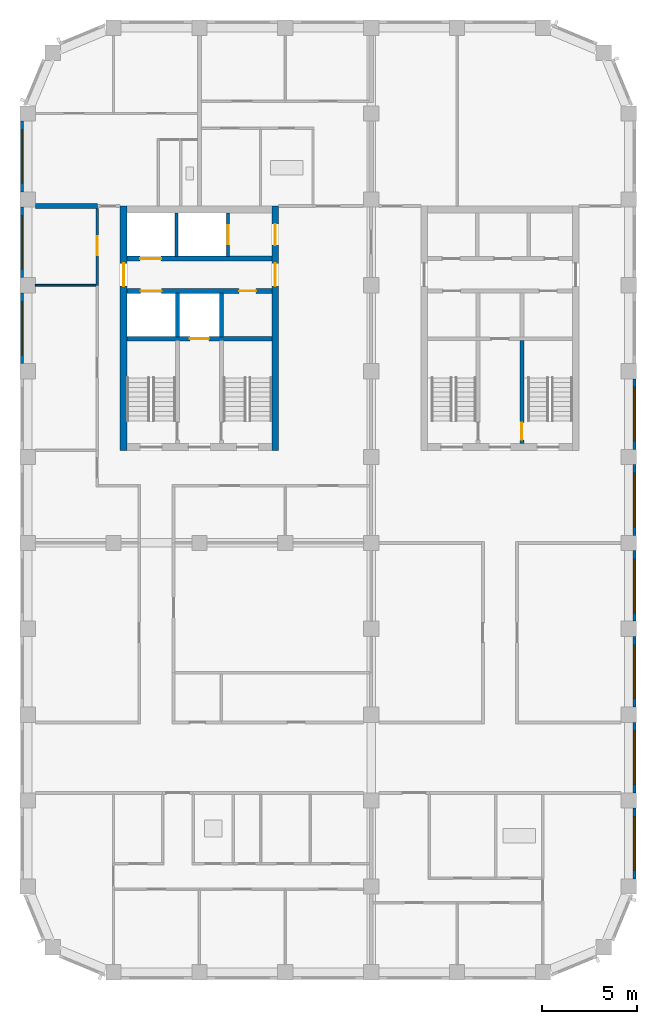
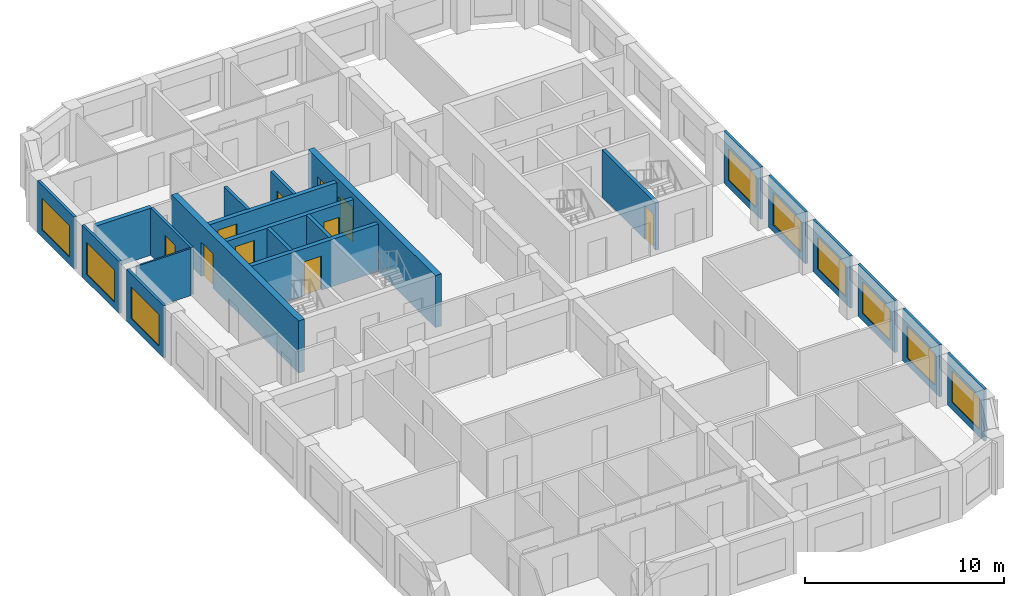
# One storey, part 5 of 10: 22 walls, 10 doors, 9 windows, 19 openings.
"""IFC4 building model written with IfcOpenShell, lengths in metres."""

from ifc_helpers import new_model, si_unit, direction, frame, frame_2d, origin, place, context, subcontext, project, spatial, rectangle, extrude, material, layer, layer_set, type_object, element, fill, save


model = new_model("IFC4")

# Units and contexts
model_context = context("Model", 3, precision=1e-05, world=origin(), true_north=direction((0.0, 1.0)))
body_context = subcontext(model_context, "Body", "Model", "MODEL_VIEW")
ifc_project = project(units=[si_unit("LENGTHUNIT", "METRE"), si_unit("AREAUNIT", "SQUARE_METRE"), si_unit("VOLUMEUNIT", "CUBIC_METRE"), si_unit("PLANEANGLEUNIT", "RADIAN"), si_unit("MASSUNIT", "GRAM", prefix="KILO")], contexts=[model_context])

# Site, building, storey
site_placement = place(None, origin())
site = spatial("IfcSite", under=ifc_project, at=site_placement, CompositionType="ELEMENT")
building_placement = place(site_placement, origin())
building = spatial("IfcBuilding", under=site, at=building_placement, Name="Girih Gate Residences", CompositionType="ELEMENT")
storey_placement = place(building_placement, frame((0.0, 0.0, 195.5)))
storey = spatial("IfcBuildingStorey", under=building, at=storey_placement, Name="L54", CompositionType="ELEMENT", Elevation=195.5)

# Wall
ifc_material_1 = material(Name="Gypsum board on steel studs", Category="steel")
ifc_layer_1 = layer(ifc_material_1, 0.25)
ifc_layer_set_1 = layer_set([ifc_layer_1], Name="Acoustic separating wall 250 mm")
wall_type_1 = type_object("IfcWallType", Name="Acoustic separating wall 250 mm", PredefinedType="PARTITIONING", material=ifc_layer_set_1)
wall_1_placement = place(storey_placement, frame((0.39990234375, 40.14990234375, 0.0), z_axis=(0.0, 0.0, 1.0), x_axis=(1.0, 0.0, 0.0)))
element("IfcWall", 1, at=wall_1_placement, inside=storey, type_object=wall_type_1, Name="L54 partition", PredefinedType="PARTITIONING", context=body_context, shape_type="SweptSolid", body=[
    extrude(rectangle(XDim=3.25, YDim=0.25, at=frame_2d((1.625, 0.0))), origin(), (0.0, 0.0, 1.0), 2.89990234375),
])

# Wall, opening, door
ifc_layer_2 = layer(ifc_material_1, 0.14990234375)
ifc_layer_set_2 = layer_set([ifc_layer_2], Name="Compartment wall 150 mm")
wall_type_2 = type_object("IfcWallType", Name="Compartment wall 150 mm", PredefinedType="PARTITIONING", material=ifc_layer_set_2)
wall_2_placement = place(storey_placement, frame((3.64990234375, 36.0, 0.0), z_axis=(0.0, 0.0, 1.0), x_axis=(0.0, 1.0, 0.0)))
wall_2 = element("IfcWall", 2, at=wall_2_placement, inside=storey, type_object=wall_type_2, Name="L54 partition", PredefinedType="PARTITIONING", context=body_context, shape_type="SweptSolid", body=[
    extrude(rectangle(XDim=4.02490234375, YDim=0.14990234375, at=frame_2d((2.012451171875, 0.0))), origin(), (0.0, 0.0, 1.0), 2.89990234375),
])
opening_1_placement = place(wall_2_placement, frame((1.574951171875, 0.0, 0.0)))
opening_1 = element("IfcOpeningElement", 3, at=opening_1_placement, cuts=wall_2, Name="Opening A54-039", PredefinedType="OPENING", context=body_context, shape_type="SweptSolid", body=[
    extrude(rectangle(XDim=1.0, YDim=2.10009765625, at=frame_2d((0.5, 1.050048828125))), frame((0.0, 0.0849609375, 0.0), z_axis=(0.0, -1.0, 0.0), x_axis=(1.0, 0.0, 0.0)), (0.0, 0.0, 1.0), 0.169921875),
])
ifc_material_2 = material(Name="Timber, fire-rated core", Category="wood")
door_type_1 = type_object("IfcDoorType", Name="Amenity room door 1000x2100 FD30S", OperationType="NOTDEFINED", PredefinedType="DOOR", material=ifc_material_2)
door_1_placement = place(opening_1_placement, origin())
door_1 = element("IfcDoor", 4, at=door_1_placement, inside=storey, type_object=door_type_1, Name="Door A54-039", OperationType="SINGLE_SWING_RIGHT", OverallHeight=2.10009765625, OverallWidth=1.0, PredefinedType="DOOR", context=body_context, shape_type="SweptSolid", body=[
    extrude(rectangle(XDim=1.0, YDim=2.10009765625, at=frame_2d((0.5, 1.050048828125))), frame((0.0, 0.02490234375, 0.0), z_axis=(0.0, -1.0, 0.0), x_axis=(1.0, 0.0, 0.0)), (0.0, 0.0, 1.0), 0.050048828125),
])
fill(opening_1, door_1)

ifc_material_3 = material(Name="Concrete C60/75", Category="concrete")
ifc_layer_3 = layer(ifc_material_3, 0.35009765625)
ifc_layer_set_3 = layer_set([ifc_layer_3], Name="Core wall RC 350 Concrete C60/75")
wall_type_3 = type_object("IfcWallType", Name="Core wall RC 350 Concrete C60/75", PredefinedType="SOLIDWALL", material=ifc_layer_set_3)
wall_3_placement = place(storey_placement, frame((5.02490234375, 27.35009765625, 0.0), z_axis=(0.0, 0.0, 1.0), x_axis=(0.0, 1.0, 0.0)))
wall_3 = element("IfcWall", 5, at=wall_3_placement, inside=storey, type_object=wall_type_3, Name="Core wall W-W L54", PredefinedType="SOLIDWALL", context=body_context, shape_type="SweptSolid", body=[
    extrude(rectangle(XDim=12.7998046875, YDim=0.35009765625, at=frame_2d((6.39990234375, 0.0))), origin(), (0.0, 0.0, 1.0), 3.199951171875),
])
opening_2_placement = place(wall_3_placement, frame((8.60009765625, 0.0, 0.0)))
opening_2 = element("IfcOpeningElement", 6, at=opening_2_placement, cuts=wall_3, Name="Opening D-L54-W-012", PredefinedType="OPENING", context=body_context, shape_type="SweptSolid", body=[
    extrude(rectangle(XDim=1.199951171875, YDim=2.10009765625, at=frame_2d((0.60009765625, 1.050048828125))), frame((0.0, 0.18505859375, 0.0), z_axis=(0.0, -1.0, 0.0), x_axis=(1.0, 0.0, 0.0)), (0.0, 0.0, 1.0), 0.3701171875),
])
ifc_material_4 = material(Name="Painted steel, fire-resisting", Category="steel")
door_type_2 = type_object("IfcDoorType", Name="Fire door 1200x2100", OperationType="SINGLE_SWING_LEFT", PredefinedType="DOOR", material=ifc_material_4)
door_2_placement = place(opening_2_placement, origin())
door_2 = element("IfcDoor", 7, at=door_2_placement, inside=storey, type_object=door_type_2, Name="L54 W core door ll-w", OperationType="SINGLE_SWING_LEFT", OverallHeight=2.10009765625, OverallWidth=1.199951171875, PredefinedType="DOOR", context=body_context, shape_type="SweptSolid", body=[
    extrude(rectangle(XDim=1.199951171875, YDim=2.10009765625, at=frame_2d((0.60009765625, 1.050048828125))), frame((0.0, 0.02490234375, 0.0), z_axis=(0.0, -1.0, 0.0), x_axis=(1.0, 0.0, 0.0)), (0.0, 0.0, 1.0), 0.050048828125),
])
fill(opening_2, door_2)

# Wall, openings, doors
wall_4_placement = place(storey_placement, frame((12.97509765625, 27.35009765625, 0.0), z_axis=(0.0, 0.0, 1.0), x_axis=(0.0, 1.0, 0.0)))
wall_4 = element("IfcWall", 8, at=wall_4_placement, inside=storey, type_object=wall_type_3, Name="Core wall W-E L54", PredefinedType="SOLIDWALL", context=body_context, shape_type="SweptSolid", body=[
    extrude(rectangle(XDim=12.7998046875, YDim=0.35009765625, at=frame_2d((6.39990234375, 0.0))), origin(), (0.0, 0.0, 1.0), 3.199951171875),
])
opening_3_placement = place(wall_4_placement, frame((10.75, 0.0, 0.0)))
opening_3 = element("IfcOpeningElement", 9, at=opening_3_placement, cuts=wall_4, Name="Opening D-L54-W-011", PredefinedType="OPENING", context=body_context, shape_type="SweptSolid", body=[
    extrude(rectangle(XDim=1.10009765625, YDim=2.10009765625, at=frame_2d((0.550048828125, 1.050048828125))), frame((0.0, 0.18505859375, 0.0), z_axis=(0.0, -1.0, 0.0), x_axis=(1.0, 0.0, 0.0)), (0.0, 0.0, 1.0), 0.3701171875),
])
opening_4_placement = place(wall_4_placement, frame((8.60009765625, 0.0, 0.0)))
opening_4 = element("IfcOpeningElement", 10, at=opening_4_placement, cuts=wall_4, Name="Opening D-L54-W-013", PredefinedType="OPENING", context=body_context, shape_type="SweptSolid", body=[
    extrude(rectangle(XDim=1.199951171875, YDim=2.10009765625, at=frame_2d((0.60009765625, 1.050048828125))), frame((0.0, 0.18505859375, 0.0), z_axis=(0.0, -1.0, 0.0), x_axis=(1.0, 0.0, 0.0)), (0.0, 0.0, 1.0), 0.3701171875),
])
door_type_3 = type_object("IfcDoorType", Name="Fire door 1100x2100", OperationType="SINGLE_SWING_LEFT", PredefinedType="DOOR", material=ifc_material_4)
door_3_placement = place(opening_3_placement, origin())
door_3 = element("IfcDoor", 11, at=door_3_placement, inside=storey, type_object=door_type_3, Name="L54 W core door ffl2-e", OperationType="SINGLE_SWING_LEFT", OverallHeight=2.10009765625, OverallWidth=1.10009765625, PredefinedType="DOOR", context=body_context, shape_type="SweptSolid", body=[
    extrude(rectangle(XDim=1.10009765625, YDim=2.10009765625, at=frame_2d((0.550048828125, 1.050048828125))), frame((0.0, 0.02490234375, 0.0), z_axis=(0.0, -1.0, 0.0), x_axis=(1.0, 0.0, 0.0)), (0.0, 0.0, 1.0), 0.050048828125),
])
fill(opening_3, door_3)
door_4_placement = place(opening_4_placement, origin())
door_4 = element("IfcDoor", 12, at=door_4_placement, inside=storey, type_object=door_type_2, Name="L54 W core door ll-e", OperationType="SINGLE_SWING_LEFT", OverallHeight=2.10009765625, OverallWidth=1.199951171875, PredefinedType="DOOR", context=body_context, shape_type="SweptSolid", body=[
    extrude(rectangle(XDim=1.199951171875, YDim=2.10009765625, at=frame_2d((0.60009765625, 1.050048828125))), frame((0.0, 0.02490234375, 0.0), z_axis=(0.0, -1.0, 0.0), x_axis=(1.0, 0.0, 0.0)), (0.0, 0.0, 1.0), 0.050048828125),
])
fill(opening_4, door_4)

# Wall, opening, door
ifc_material_5 = material(Name="Concrete C40/50", Category="concrete")
ifc_layer_4 = layer(ifc_material_5, 0.25)
ifc_layer_set_4 = layer_set([ifc_layer_4], Name="Lift shaft wall 250")
wall_type_4 = type_object("IfcWallType", Name="Lift shaft wall 250", PredefinedType="SOLIDWALL", material=ifc_layer_set_4)
wall_5_placement = place(storey_placement, frame((5.199951171875, 33.199951171875, 0.0), z_axis=(0.0, 0.0, 1.0), x_axis=(1.0, 0.0, 0.0)))
wall_5 = element("IfcWall", 13, at=wall_5_placement, inside=storey, type_object=wall_type_4, Name="L54 W core wall H1", PredefinedType="SOLIDWALL", context=body_context, shape_type="SweptSolid", body=[
    extrude(rectangle(XDim=7.60009765625, YDim=0.25, at=frame_2d((3.800048828125, 0.0))), origin(), (0.0, 0.0, 1.0), 2.89990234375),
])
opening_5_placement = place(wall_5_placement, frame((3.300048828125, 0.0, 0.0)))
opening_5 = element("IfcOpeningElement", 14, at=opening_5_placement, cuts=wall_5, Name="Opening D-L54-W-006", PredefinedType="OPENING", context=body_context, shape_type="SweptSolid", body=[
    extrude(rectangle(XDim=1.0, YDim=2.10009765625, at=frame_2d((0.5, 1.050048828125))), frame((0.0, 0.135009765625, 0.0), z_axis=(0.0, -1.0, 0.0), x_axis=(1.0, 0.0, 0.0)), (0.0, 0.0, 1.0), 0.27001953125),
])
ifc_material_6 = material(Name="Stainless steel, fire-resisting", Category="steel")
door_type_4 = type_object("IfcDoorType", Name="Firefighting lift landing door 1000x2100", OperationType="SLIDING_TO_LEFT", PredefinedType="DOOR", material=ifc_material_6)
door_5_placement = place(opening_5_placement, origin())
door_5 = element("IfcDoor", 15, at=door_5_placement, inside=storey, type_object=door_type_4, Name="L54 lift FF-W landing door", OperationType="SLIDING_TO_LEFT", OverallHeight=2.10009765625, OverallWidth=1.0, PredefinedType="DOOR", context=body_context, shape_type="SweptSolid", body=[
    extrude(rectangle(XDim=1.0, YDim=2.10009765625, at=frame_2d((0.5, 1.050048828125))), frame((0.0, 0.02490234375, 0.0), z_axis=(0.0, -1.0, 0.0), x_axis=(1.0, 0.0, 0.0)), (0.0, 0.0, 1.0), 0.050048828125),
])
fill(opening_5, door_5)

# Wall, openings, doors
wall_6_placement = place(storey_placement, frame((5.199951171875, 35.699951171875, 0.0), z_axis=(0.0, 0.0, 1.0), x_axis=(1.0, 0.0, 0.0)))
wall_6 = element("IfcWall", 16, at=wall_6_placement, inside=storey, type_object=wall_type_4, Name="L54 W core wall H2", PredefinedType="SOLIDWALL", context=body_context, shape_type="SweptSolid", body=[
    extrude(rectangle(XDim=7.60009765625, YDim=0.25, at=frame_2d((3.800048828125, 0.0))), origin(), (0.0, 0.0, 1.0), 2.89990234375),
])
opening_6_placement = place(wall_6_placement, frame((0.72509765625, 0.0, 0.0)))
opening_6 = element("IfcOpeningElement", 17, at=opening_6_placement, cuts=wall_6, Name="Opening D-L54-W-005", PredefinedType="OPENING", context=body_context, shape_type="SweptSolid", body=[
    extrude(rectangle(XDim=1.10009765625, YDim=2.39990234375, at=frame_2d((0.550048828125, 1.199951171875))), frame((0.0, 0.135009765625, 0.0), z_axis=(0.0, -1.0, 0.0), x_axis=(1.0, 0.0, 0.0)), (0.0, 0.0, 1.0), 0.27001953125),
])
opening_7_placement = place(wall_6_placement, frame((5.875, 0.0, 0.0)))
opening_7 = element("IfcOpeningElement", 18, at=opening_7_placement, cuts=wall_6, Name="Opening D-L54-W-007", PredefinedType="OPENING", context=body_context, shape_type="SweptSolid", body=[
    extrude(rectangle(XDim=0.89990234375, YDim=2.10009765625, at=frame_2d((0.449951171875, 1.050048828125))), frame((0.0, 0.135009765625, 0.0), z_axis=(0.0, -1.0, 0.0), x_axis=(1.0, 0.0, 0.0)), (0.0, 0.0, 1.0), 0.27001953125),
])
door_type_5 = type_object("IfcDoorType", Name="Fire door 900x2100", OperationType="SINGLE_SWING_LEFT", PredefinedType="DOOR", material=ifc_material_4)
door_6_placement = place(opening_7_placement, origin())
door_6 = element("IfcDoor", 19, at=door_6_placement, inside=storey, type_object=door_type_5, Name="L54 W riser room door", OperationType="SINGLE_SWING_LEFT", OverallHeight=2.10009765625, OverallWidth=0.89990234375, PredefinedType="DOOR", context=body_context, shape_type="SweptSolid", body=[
    extrude(rectangle(XDim=0.89990234375, YDim=2.10009765625, at=frame_2d((0.449951171875, 1.050048828125))), frame((0.0, 0.02490234375, 0.0), z_axis=(0.0, -1.0, 0.0), x_axis=(1.0, 0.0, 0.0)), (0.0, 0.0, 1.0), 0.050048828125),
])
fill(opening_7, door_6)
ifc_material_7 = material(Name="Stainless steel", Category="steel")
door_type_6 = type_object("IfcDoorType", Name="Lift landing door 1100x2400", OperationType="SLIDING_TO_LEFT", PredefinedType="DOOR", material=ifc_material_7)
door_7_placement = place(opening_6_placement, origin())
door_7 = element("IfcDoor", 20, at=door_7_placement, inside=storey, type_object=door_type_6, Name="L54 lift HR-W1 landing door", OperationType="SLIDING_TO_LEFT", OverallHeight=2.39990234375, OverallWidth=1.10009765625, PredefinedType="DOOR", context=body_context, shape_type="SweptSolid", body=[
    extrude(rectangle(XDim=1.10009765625, YDim=2.39990234375, at=frame_2d((0.550048828125, 1.199951171875))), frame((0.0, 0.02490234375, 0.0), z_axis=(0.0, -1.0, 0.0), x_axis=(1.0, 0.0, 0.0)), (0.0, 0.0, 1.0), 0.050048828125),
])
fill(opening_6, door_7)

# Wall, opening, door
wall_7_placement = place(storey_placement, frame((5.199951171875, 37.39990234375, 0.0), z_axis=(0.0, 0.0, 1.0), x_axis=(1.0, 0.0, 0.0)))
wall_7 = element("IfcWall", 21, at=wall_7_placement, inside=storey, type_object=wall_type_4, Name="L54 W core wall H3", PredefinedType="SOLIDWALL", context=body_context, shape_type="SweptSolid", body=[
    extrude(rectangle(XDim=7.60009765625, YDim=0.25, at=frame_2d((3.800048828125, 0.0))), origin(), (0.0, 0.0, 1.0), 2.89990234375),
])
opening_8_placement = place(wall_7_placement, frame((0.699951171875, 0.0, 0.0)))
opening_8 = element("IfcOpeningElement", 22, at=opening_8_placement, cuts=wall_7, Name="Opening D-L54-W-003", PredefinedType="OPENING", context=body_context, shape_type="SweptSolid", body=[
    extrude(rectangle(XDim=1.10009765625, YDim=2.39990234375, at=frame_2d((0.550048828125, 1.199951171875))), frame((0.0, 0.135009765625, 0.0), z_axis=(0.0, -1.0, 0.0), x_axis=(1.0, 0.0, 0.0)), (0.0, 0.0, 1.0), 0.27001953125),
])
door_8_placement = place(opening_8_placement, origin())
door_8 = element("IfcDoor", 23, at=door_8_placement, inside=storey, type_object=door_type_6, Name="L54 lift LR-W1 landing door", OperationType="SLIDING_TO_LEFT", OverallHeight=2.39990234375, OverallWidth=1.10009765625, PredefinedType="DOOR", context=body_context, shape_type="SweptSolid", body=[
    extrude(rectangle(XDim=1.10009765625, YDim=2.39990234375, at=frame_2d((0.550048828125, 1.199951171875))), frame((0.0, 0.02490234375, 0.0), z_axis=(0.0, -1.0, 0.0), x_axis=(1.0, 0.0, 0.0)), (0.0, 0.0, 1.0), 0.050048828125),
])
fill(opening_8, door_8)

# Wall
ifc_layer_5 = layer(ifc_material_1, 0.10009765625)
ifc_layer_set_5 = layer_set([ifc_layer_5], Name="Partition 100 mm")
wall_type_5 = type_object("IfcWallType", Name="Partition 100 mm", PredefinedType="PARTITIONING", material=ifc_layer_set_5)
wall_8_placement = place(storey_placement, frame((0.39990234375, 36.0, 0.0), z_axis=(0.0, 0.0, 1.0), x_axis=(1.0, 0.0, 0.0)))
element("IfcWall", 24, at=wall_8_placement, inside=storey, type_object=wall_type_5, Name="L54 partition", PredefinedType="PARTITIONING", context=body_context, shape_type="SweptSolid", body=[
    extrude(rectangle(XDim=3.175048828125, YDim=0.10009765625, at=frame_2d((1.58740234375, 0.0))), origin(), (0.0, 0.0, 1.0), 2.89990234375),
])

# Wall, opening, window
ifc_material_8 = material(Name="Precast concrete C50/60", Category="concrete")
ifc_layer_6 = layer(ifc_material_8, 0.050048828125, Name="Outer leaf")
ifc_material_9 = material(Name="Rigid PIR insulation")
ifc_layer_7 = layer(ifc_material_9, 0.06005859375, Name="Insulation")
ifc_material_10 = material(Name="Precast concrete C40/50", Category="concrete")
ifc_layer_8 = layer(ifc_material_10, 0.0400390625, Name="Inner leaf")
ifc_layer_set_6 = layer_set([ifc_layer_6, ifc_layer_7, ifc_layer_8], Name="Precast concrete C50/60 external wall 150")
wall_type_6 = type_object("IfcWallType", Name="Precast concrete C50/60 external wall 150", PredefinedType="SOLIDWALL", material=ifc_layer_set_6)
wall_9_placement = place(storey_placement, frame((31.800048828125, 8.60009765625, 0.0), z_axis=(0.0, 0.0, 1.0), x_axis=(0.0, -1.0, 0.0)))
wall_9 = element("IfcWall", 25, at=wall_9_placement, inside=storey, type_object=wall_type_6, Name="External wall E0315_0045.0", PredefinedType="SOLIDWALL", context=body_context, shape_type="SweptSolid", body=[
    extrude(rectangle(XDim=3.7001953125, YDim=0.14990234375, at=frame_2d((1.85009765625, 0.0))), origin(), (0.0, 0.0, 1.0), 3.199951171875),
])
opening_9_placement = place(wall_9_placement, frame((0.449951171875, 0.0, 0.449951171875)))
opening_9 = element("IfcOpeningElement", 26, at=opening_9_placement, cuts=wall_9, Name="Opening W-1B", PredefinedType="OPENING", context=body_context, shape_type="SweptSolid", body=[
    extrude(rectangle(XDim=2.800048828125, YDim=1.949951171875, at=frame_2d((1.39990234375, 0.97509765625))), frame((0.0, 0.0849609375, 0.0), z_axis=(0.0, -1.0, 0.0), x_axis=(1.0, 0.0, 0.0)), (0.0, 0.0, 1.0), 0.169921875),
])
ifc_material_11 = material(Name="Double glazing in aluminium frame", Category="aluminium")
window_type = type_object("IfcWindowType", Name="Window W-1B 2800x1950", PartitioningType="SINGLE_PANEL", PredefinedType="WINDOW", material=ifc_material_11)
window_1_placement = place(opening_9_placement, origin())
window_1 = element("IfcWindow", 27, at=window_1_placement, inside=storey, type_object=window_type, Name="Window W-1B E0315_0045.0", OverallHeight=1.949951171875, OverallWidth=2.800048828125, PartitioningType="SINGLE_PANEL", PredefinedType="WINDOW", context=body_context, shape_type="SweptSolid", body=[
    extrude(rectangle(XDim=2.800048828125, YDim=1.949951171875, at=frame_2d((1.39990234375, 0.97509765625))), frame((0.0, 0.030029296875, 0.0), z_axis=(0.0, -1.0, 0.0), x_axis=(1.0, 0.0, 0.0)), (0.0, 0.0, 1.0), 0.06005859375),
])
fill(opening_9, window_1)

wall_10_placement = place(storey_placement, frame((31.800048828125, 13.10009765625, 0.0), z_axis=(0.0, 0.0, 1.0), x_axis=(0.0, -1.0, 0.0)))
wall_10 = element("IfcWall", 28, at=wall_10_placement, inside=storey, type_object=wall_type_6, Name="External wall E0315_0045.1", PredefinedType="SOLIDWALL", context=body_context, shape_type="SweptSolid", body=[
    extrude(rectangle(XDim=3.7001953125, YDim=0.14990234375, at=frame_2d((1.85009765625, 0.0))), origin(), (0.0, 0.0, 1.0), 3.199951171875),
])
opening_10_placement = place(wall_10_placement, frame((0.449951171875, 0.0, 0.449951171875)))
opening_10 = element("IfcOpeningElement", 29, at=opening_10_placement, cuts=wall_10, Name="Opening W-1B", PredefinedType="OPENING", context=body_context, shape_type="SweptSolid", body=[
    extrude(rectangle(XDim=2.800048828125, YDim=1.949951171875, at=frame_2d((1.39990234375, 0.97509765625))), frame((0.0, 0.0849609375, 0.0), z_axis=(0.0, -1.0, 0.0), x_axis=(1.0, 0.0, 0.0)), (0.0, 0.0, 1.0), 0.169921875),
])
window_2_placement = place(opening_10_placement, origin())
window_2 = element("IfcWindow", 30, at=window_2_placement, inside=storey, type_object=window_type, Name="Window W-1B E0315_0045.1", OverallHeight=1.949951171875, OverallWidth=2.800048828125, PartitioningType="SINGLE_PANEL", PredefinedType="WINDOW", context=body_context, shape_type="SweptSolid", body=[
    extrude(rectangle(XDim=2.800048828125, YDim=1.949951171875, at=frame_2d((1.39990234375, 0.97509765625))), frame((0.0, 0.030029296875, 0.0), z_axis=(0.0, -1.0, 0.0), x_axis=(1.0, 0.0, 0.0)), (0.0, 0.0, 1.0), 0.06005859375),
])
fill(opening_10, window_2)

wall_11_placement = place(storey_placement, frame((31.800048828125, 17.60009765625, 0.0), z_axis=(0.0, 0.0, 1.0), x_axis=(0.0, -1.0, 0.0)))
wall_11 = element("IfcWall", 31, at=wall_11_placement, inside=storey, type_object=wall_type_6, Name="External wall E0315_0045.2", PredefinedType="SOLIDWALL", context=body_context, shape_type="SweptSolid", body=[
    extrude(rectangle(XDim=3.7001953125, YDim=0.14990234375, at=frame_2d((1.85009765625, 0.0))), origin(), (0.0, 0.0, 1.0), 3.199951171875),
])
opening_11_placement = place(wall_11_placement, frame((0.449951171875, 0.0, 0.449951171875)))
opening_11 = element("IfcOpeningElement", 32, at=opening_11_placement, cuts=wall_11, Name="Opening W-1B", PredefinedType="OPENING", context=body_context, shape_type="SweptSolid", body=[
    extrude(rectangle(XDim=2.800048828125, YDim=1.949951171875, at=frame_2d((1.39990234375, 0.97509765625))), frame((0.0, 0.0849609375, 0.0), z_axis=(0.0, -1.0, 0.0), x_axis=(1.0, 0.0, 0.0)), (0.0, 0.0, 1.0), 0.169921875),
])
window_3_placement = place(opening_11_placement, origin())
window_3 = element("IfcWindow", 33, at=window_3_placement, inside=storey, type_object=window_type, Name="Window W-1B E0315_0045.2", OverallHeight=1.949951171875, OverallWidth=2.800048828125, PartitioningType="SINGLE_PANEL", PredefinedType="WINDOW", context=body_context, shape_type="SweptSolid", body=[
    extrude(rectangle(XDim=2.800048828125, YDim=1.949951171875, at=frame_2d((1.39990234375, 0.97509765625))), frame((0.0, 0.030029296875, 0.0), z_axis=(0.0, -1.0, 0.0), x_axis=(1.0, 0.0, 0.0)), (0.0, 0.0, 1.0), 0.06005859375),
])
fill(opening_11, window_3)

wall_12_placement = place(storey_placement, frame((31.800048828125, 22.10009765625, 0.0), z_axis=(0.0, 0.0, 1.0), x_axis=(0.0, -1.0, 0.0)))
wall_12 = element("IfcWall", 34, at=wall_12_placement, inside=storey, type_object=wall_type_6, Name="External wall E0315_0045.3", PredefinedType="SOLIDWALL", context=body_context, shape_type="SweptSolid", body=[
    extrude(rectangle(XDim=3.7001953125, YDim=0.14990234375, at=frame_2d((1.85009765625, 0.0))), origin(), (0.0, 0.0, 1.0), 3.199951171875),
])
opening_12_placement = place(wall_12_placement, frame((0.449951171875, 0.0, 0.449951171875)))
opening_12 = element("IfcOpeningElement", 35, at=opening_12_placement, cuts=wall_12, Name="Opening W-1B", PredefinedType="OPENING", context=body_context, shape_type="SweptSolid", body=[
    extrude(rectangle(XDim=2.800048828125, YDim=1.949951171875, at=frame_2d((1.39990234375, 0.97509765625))), frame((0.0, 0.0849609375, 0.0), z_axis=(0.0, -1.0, 0.0), x_axis=(1.0, 0.0, 0.0)), (0.0, 0.0, 1.0), 0.169921875),
])
window_4_placement = place(opening_12_placement, origin())
window_4 = element("IfcWindow", 36, at=window_4_placement, inside=storey, type_object=window_type, Name="Window W-1B E0315_0045.3", OverallHeight=1.949951171875, OverallWidth=2.800048828125, PartitioningType="SINGLE_PANEL", PredefinedType="WINDOW", context=body_context, shape_type="SweptSolid", body=[
    extrude(rectangle(XDim=2.800048828125, YDim=1.949951171875, at=frame_2d((1.39990234375, 0.97509765625))), frame((0.0, 0.030029296875, 0.0), z_axis=(0.0, -1.0, 0.0), x_axis=(1.0, 0.0, 0.0)), (0.0, 0.0, 1.0), 0.06005859375),
])
fill(opening_12, window_4)

wall_13_placement = place(storey_placement, frame((31.800048828125, 26.60009765625, 0.0), z_axis=(0.0, 0.0, 1.0), x_axis=(0.0, -1.0, 0.0)))
wall_13 = element("IfcWall", 37, at=wall_13_placement, inside=storey, type_object=wall_type_6, Name="External wall E0315_0045.4", PredefinedType="SOLIDWALL", context=body_context, shape_type="SweptSolid", body=[
    extrude(rectangle(XDim=3.7001953125, YDim=0.14990234375, at=frame_2d((1.85009765625, 0.0))), origin(), (0.0, 0.0, 1.0), 3.199951171875),
])
opening_13_placement = place(wall_13_placement, frame((0.449951171875, 0.0, 0.449951171875)))
opening_13 = element("IfcOpeningElement", 38, at=opening_13_placement, cuts=wall_13, Name="Opening W-1B", PredefinedType="OPENING", context=body_context, shape_type="SweptSolid", body=[
    extrude(rectangle(XDim=2.800048828125, YDim=1.949951171875, at=frame_2d((1.39990234375, 0.97509765625))), frame((0.0, 0.0849609375, 0.0), z_axis=(0.0, -1.0, 0.0), x_axis=(1.0, 0.0, 0.0)), (0.0, 0.0, 1.0), 0.169921875),
])
window_5_placement = place(opening_13_placement, origin())
window_5 = element("IfcWindow", 39, at=window_5_placement, inside=storey, type_object=window_type, Name="Window W-1B E0315_0045.4", OverallHeight=1.949951171875, OverallWidth=2.800048828125, PartitioningType="SINGLE_PANEL", PredefinedType="WINDOW", context=body_context, shape_type="SweptSolid", body=[
    extrude(rectangle(XDim=2.800048828125, YDim=1.949951171875, at=frame_2d((1.39990234375, 0.97509765625))), frame((0.0, 0.030029296875, 0.0), z_axis=(0.0, -1.0, 0.0), x_axis=(1.0, 0.0, 0.0)), (0.0, 0.0, 1.0), 0.06005859375),
])
fill(opening_13, window_5)

wall_14_placement = place(storey_placement, frame((31.800048828125, 31.10009765625, 0.0), z_axis=(0.0, 0.0, 1.0), x_axis=(0.0, -1.0, 0.0)))
wall_14 = element("IfcWall", 40, at=wall_14_placement, inside=storey, type_object=wall_type_6, Name="External wall E0315_0045.5", PredefinedType="SOLIDWALL", context=body_context, shape_type="SweptSolid", body=[
    extrude(rectangle(XDim=3.7001953125, YDim=0.14990234375, at=frame_2d((1.85009765625, 0.0))), origin(), (0.0, 0.0, 1.0), 3.199951171875),
])
opening_14_placement = place(wall_14_placement, frame((0.449951171875, 0.0, 0.449951171875)))
opening_14 = element("IfcOpeningElement", 41, at=opening_14_placement, cuts=wall_14, Name="Opening W-1B", PredefinedType="OPENING", context=body_context, shape_type="SweptSolid", body=[
    extrude(rectangle(XDim=2.800048828125, YDim=1.949951171875, at=frame_2d((1.39990234375, 0.97509765625))), frame((0.0, 0.0849609375, 0.0), z_axis=(0.0, -1.0, 0.0), x_axis=(1.0, 0.0, 0.0)), (0.0, 0.0, 1.0), 0.169921875),
])
window_6_placement = place(opening_14_placement, origin())
window_6 = element("IfcWindow", 42, at=window_6_placement, inside=storey, type_object=window_type, Name="Window W-1B E0315_0045.5", OverallHeight=1.949951171875, OverallWidth=2.800048828125, PartitioningType="SINGLE_PANEL", PredefinedType="WINDOW", context=body_context, shape_type="SweptSolid", body=[
    extrude(rectangle(XDim=2.800048828125, YDim=1.949951171875, at=frame_2d((1.39990234375, 0.97509765625))), frame((0.0, 0.030029296875, 0.0), z_axis=(0.0, -1.0, 0.0), x_axis=(1.0, 0.0, 0.0)), (0.0, 0.0, 1.0), 0.06005859375),
])
fill(opening_14, window_6)

wall_15_placement = place(storey_placement, frame((-0.300048828125, 40.89990234375, 0.0), z_axis=(0.0, 0.0, 1.0), x_axis=(0.0, 1.0, 0.0)))
wall_15 = element("IfcWall", 43, at=wall_15_placement, inside=storey, type_object=wall_type_6, Name="External wall W0000_0450.0", PredefinedType="SOLIDWALL", context=body_context, shape_type="SweptSolid", body=[
    extrude(rectangle(XDim=3.7001953125, YDim=0.14990234375, at=frame_2d((1.85009765625, 0.0))), origin(), (0.0, 0.0, 1.0), 3.199951171875),
])
opening_15_placement = place(wall_15_placement, frame((0.449951171875, 0.0, 0.449951171875)))
opening_15 = element("IfcOpeningElement", 44, at=opening_15_placement, cuts=wall_15, Name="Opening W-1B", PredefinedType="OPENING", context=body_context, shape_type="SweptSolid", body=[
    extrude(rectangle(XDim=2.800048828125, YDim=1.949951171875, at=frame_2d((1.39990234375, 0.97509765625))), frame((0.0, 0.0849609375, 0.0), z_axis=(0.0, -1.0, 0.0), x_axis=(1.0, 0.0, 0.0)), (0.0, 0.0, 1.0), 0.169921875),
])
window_7_placement = place(opening_15_placement, origin())
window_7 = element("IfcWindow", 45, at=window_7_placement, inside=storey, type_object=window_type, Name="Window W-1B W0000_0450.0", OverallHeight=1.949951171875, OverallWidth=2.800048828125, PartitioningType="SINGLE_PANEL", PredefinedType="WINDOW", context=body_context, shape_type="SweptSolid", body=[
    extrude(rectangle(XDim=2.800048828125, YDim=1.949951171875, at=frame_2d((1.39990234375, 0.97509765625))), frame((0.0, 0.030029296875, 0.0), z_axis=(0.0, -1.0, 0.0), x_axis=(1.0, 0.0, 0.0)), (0.0, 0.0, 1.0), 0.06005859375),
])
fill(opening_15, window_7)

wall_16_placement = place(storey_placement, frame((-0.300048828125, 36.39990234375, 0.0), z_axis=(0.0, 0.0, 1.0), x_axis=(0.0, 1.0, 0.0)))
wall_16 = element("IfcWall", 46, at=wall_16_placement, inside=storey, type_object=wall_type_6, Name="External wall W0000_0450.1", PredefinedType="SOLIDWALL", context=body_context, shape_type="SweptSolid", body=[
    extrude(rectangle(XDim=3.7001953125, YDim=0.14990234375, at=frame_2d((1.85009765625, 0.0))), origin(), (0.0, 0.0, 1.0), 3.199951171875),
])
opening_16_placement = place(wall_16_placement, frame((0.449951171875, 0.0, 0.449951171875)))
opening_16 = element("IfcOpeningElement", 47, at=opening_16_placement, cuts=wall_16, Name="Opening W-1B", PredefinedType="OPENING", context=body_context, shape_type="SweptSolid", body=[
    extrude(rectangle(XDim=2.800048828125, YDim=1.949951171875, at=frame_2d((1.39990234375, 0.97509765625))), frame((0.0, 0.0849609375, 0.0), z_axis=(0.0, -1.0, 0.0), x_axis=(1.0, 0.0, 0.0)), (0.0, 0.0, 1.0), 0.169921875),
])
window_8_placement = place(opening_16_placement, origin())
window_8 = element("IfcWindow", 48, at=window_8_placement, inside=storey, type_object=window_type, Name="Window W-1B W0000_0450.1", OverallHeight=1.949951171875, OverallWidth=2.800048828125, PartitioningType="SINGLE_PANEL", PredefinedType="WINDOW", context=body_context, shape_type="SweptSolid", body=[
    extrude(rectangle(XDim=2.800048828125, YDim=1.949951171875, at=frame_2d((1.39990234375, 0.97509765625))), frame((0.0, 0.030029296875, 0.0), z_axis=(0.0, -1.0, 0.0), x_axis=(1.0, 0.0, 0.0)), (0.0, 0.0, 1.0), 0.06005859375),
])
fill(opening_16, window_8)

wall_17_placement = place(storey_placement, frame((-0.300048828125, 31.89990234375, 0.0), z_axis=(0.0, 0.0, 1.0), x_axis=(0.0, 1.0, 0.0)))
wall_17 = element("IfcWall", 49, at=wall_17_placement, inside=storey, type_object=wall_type_6, Name="External wall W0000_0450.2", PredefinedType="SOLIDWALL", context=body_context, shape_type="SweptSolid", body=[
    extrude(rectangle(XDim=3.7001953125, YDim=0.14990234375, at=frame_2d((1.85009765625, 0.0))), origin(), (0.0, 0.0, 1.0), 3.199951171875),
])
opening_17_placement = place(wall_17_placement, frame((0.449951171875, 0.0, 0.449951171875)))
opening_17 = element("IfcOpeningElement", 50, at=opening_17_placement, cuts=wall_17, Name="Opening W-1B", PredefinedType="OPENING", context=body_context, shape_type="SweptSolid", body=[
    extrude(rectangle(XDim=2.800048828125, YDim=1.949951171875, at=frame_2d((1.39990234375, 0.97509765625))), frame((0.0, 0.0849609375, 0.0), z_axis=(0.0, -1.0, 0.0), x_axis=(1.0, 0.0, 0.0)), (0.0, 0.0, 1.0), 0.169921875),
])
window_9_placement = place(opening_17_placement, origin())
window_9 = element("IfcWindow", 51, at=window_9_placement, inside=storey, type_object=window_type, Name="Window W-1B W0000_0450.2", OverallHeight=1.949951171875, OverallWidth=2.800048828125, PartitioningType="SINGLE_PANEL", PredefinedType="WINDOW", context=body_context, shape_type="SweptSolid", body=[
    extrude(rectangle(XDim=2.800048828125, YDim=1.949951171875, at=frame_2d((1.39990234375, 0.97509765625))), frame((0.0, 0.030029296875, 0.0), z_axis=(0.0, -1.0, 0.0), x_axis=(1.0, 0.0, 0.0)), (0.0, 0.0, 1.0), 0.06005859375),
])
fill(opening_17, window_9)

# Wall
ifc_layer_9 = layer(ifc_material_5, 0.175048828125)
ifc_layer_set_7 = layer_set([ifc_layer_9], Name="Riser shaft wall 175")
wall_type_7 = type_object("IfcWallType", Name="Riser shaft wall 175", PredefinedType="SOLIDWALL", material=ifc_layer_set_7)
wall_18_placement = place(storey_placement, frame((7.800048828125, 37.5, 0.0), z_axis=(0.0, 0.0, 1.0), x_axis=(0.0, 1.0, 0.0)))
element("IfcWall", 52, at=wall_18_placement, inside=storey, type_object=wall_type_7, Name="L54 W core wall V1c", PredefinedType="SOLIDWALL", context=body_context, shape_type="SweptSolid", body=[
    extrude(rectangle(XDim=2.300048828125, YDim=0.175048828125, at=frame_2d((1.14990234375, 0.0))), origin(), (0.0, 0.0, 1.0), 2.89990234375),
])

# Wall, opening, door
wall_19_placement = place(storey_placement, frame((10.5, 37.5, 0.0), z_axis=(0.0, 0.0, 1.0), x_axis=(0.0, 1.0, 0.0)))
wall_19 = element("IfcWall", 53, at=wall_19_placement, inside=storey, type_object=wall_type_7, Name="L54 W core wall V2c", PredefinedType="SOLIDWALL", context=body_context, shape_type="SweptSolid", body=[
    extrude(rectangle(XDim=2.300048828125, YDim=0.175048828125, at=frame_2d((1.14990234375, 0.0))), origin(), (0.0, 0.0, 1.0), 2.89990234375),
])
opening_18_placement = place(wall_19_placement, frame((0.64990234375, 0.0, 0.0)))
opening_18 = element("IfcOpeningElement", 54, at=opening_18_placement, cuts=wall_19, Name="Opening D-L54-W-004", PredefinedType="OPENING", context=body_context, shape_type="SweptSolid", body=[
    extrude(rectangle(XDim=1.0, YDim=2.10009765625, at=frame_2d((0.5, 1.050048828125))), frame((0.0, 0.097412109375, 0.0), z_axis=(0.0, -1.0, 0.0), x_axis=(1.0, 0.0, 0.0)), (0.0, 0.0, 1.0), 0.195068359375),
])
door_9_placement = place(opening_18_placement, origin())
door_9 = element("IfcDoor", 55, at=door_9_placement, inside=storey, type_object=door_type_4, Name="L54 lift FF-W2 landing door", OperationType="SLIDING_TO_LEFT", OverallHeight=2.10009765625, OverallWidth=1.0, PredefinedType="DOOR", context=body_context, shape_type="SweptSolid", body=[
    extrude(rectangle(XDim=1.0, YDim=2.10009765625, at=frame_2d((0.5, 1.050048828125))), frame((0.0, 0.02490234375, 0.0), z_axis=(0.0, -1.0, 0.0), x_axis=(1.0, 0.0, 0.0)), (0.0, 0.0, 1.0), 0.050048828125),
])
fill(opening_18, door_9)

# Walls
ifc_layer_10 = layer(ifc_material_5, 0.199951171875)
ifc_layer_set_8 = layer_set([ifc_layer_10], Name="Shaft wall 200")
wall_type_8 = type_object("IfcWallType", Name="Shaft wall 200", PredefinedType="SOLIDWALL", material=ifc_layer_set_8)
for number, where, z_axis, x_axis, name in (
    (56, (7.85009765625, 33.300048828125, 0.0), (0.0, 0.0, 1.0), (0.0, 1.0, 0.0), "L54 W core wall V1b"),
    (57, (10.14990234375, 33.300048828125, 0.0), (0.0, 0.0, 1.0), (0.0, 1.0, 0.0), "L54 W core wall V2b"),
):
    element("IfcWall", number, at=place(storey_placement, frame(where, z_axis=z_axis, x_axis=x_axis)), inside=storey, type_object=wall_type_8, Name=name, PredefinedType="SOLIDWALL", context=body_context, shape_type="SweptSolid", body=[
        extrude(rectangle(XDim=2.300048828125, YDim=0.199951171875, at=frame_2d((1.14990234375, 0.0))), origin(), (0.0, 0.0, 1.0), 2.89990234375),
    ])

# Wall, opening, door
wall_20_placement = place(storey_placement, frame((25.89990234375, 27.699951171875, 0.0), z_axis=(0.0, 0.0, 1.0), x_axis=(0.0, 1.0, 0.0)))
wall_20 = element("IfcWall", 58, at=wall_20_placement, inside=storey, type_object=wall_type_8, Name="L54 C core wall V2a", PredefinedType="SOLIDWALL", context=body_context, shape_type="SweptSolid", body=[
    extrude(rectangle(XDim=5.400146484375, YDim=0.199951171875, at=frame_2d((2.7001953125, 0.0))), origin(), (0.0, 0.0, 1.0), 2.89990234375),
])
opening_19_placement = place(wall_20_placement, frame((0.199951171875, 0.0, 0.0)))
opening_19 = element("IfcOpeningElement", 59, at=opening_19_placement, cuts=wall_20, Name="Opening D-L54-C-002", PredefinedType="OPENING", context=body_context, shape_type="SweptSolid", body=[
    extrude(rectangle(XDim=0.89990234375, YDim=2.10009765625, at=frame_2d((0.449951171875, 1.050048828125))), frame((0.0, 0.10986328125, 0.0), z_axis=(0.0, -1.0, 0.0), x_axis=(1.0, 0.0, 0.0)), (0.0, 0.0, 1.0), 0.219970703125),
])
door_10_placement = place(opening_19_placement, origin())
door_10 = element("IfcDoor", 60, at=door_10_placement, inside=storey, type_object=door_type_5, Name="L54 C door stair 2 to stair lobby", OperationType="SINGLE_SWING_LEFT", OverallHeight=2.10009765625, OverallWidth=0.89990234375, PredefinedType="DOOR", context=body_context, shape_type="SweptSolid", body=[
    extrude(rectangle(XDim=0.89990234375, YDim=2.10009765625, at=frame_2d((0.449951171875, 1.050048828125))), frame((0.0, 0.02490234375, 0.0), z_axis=(0.0, -1.0, 0.0), x_axis=(1.0, 0.0, 0.0)), (0.0, 0.0, 1.0), 0.050048828125),
])
fill(opening_19, door_10)

save(model, "model.ifc")
